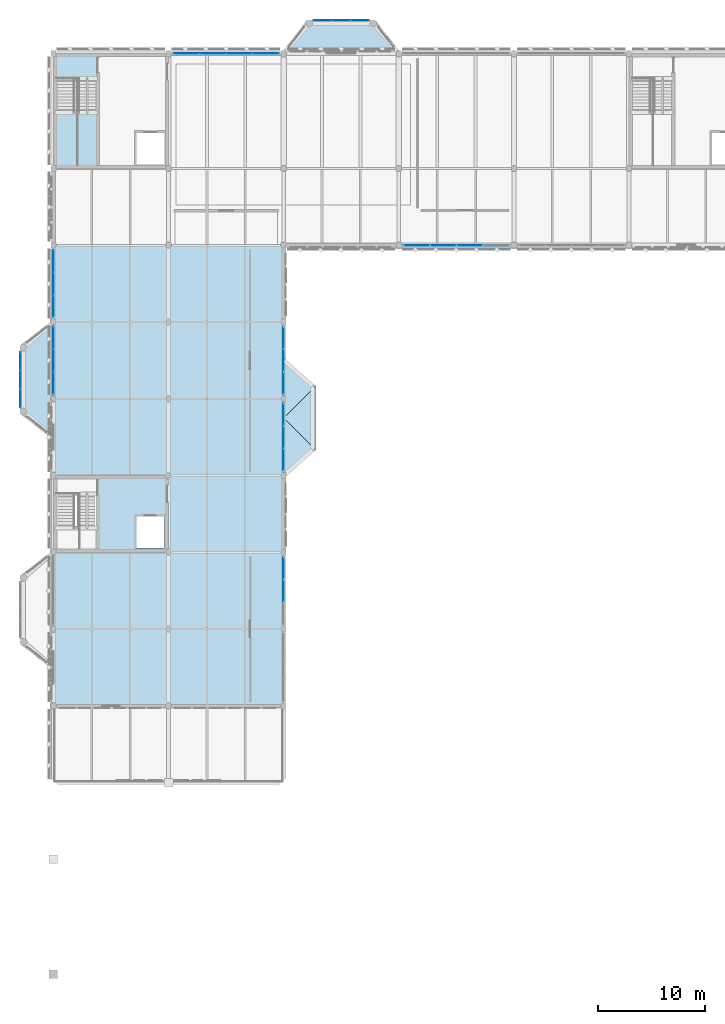
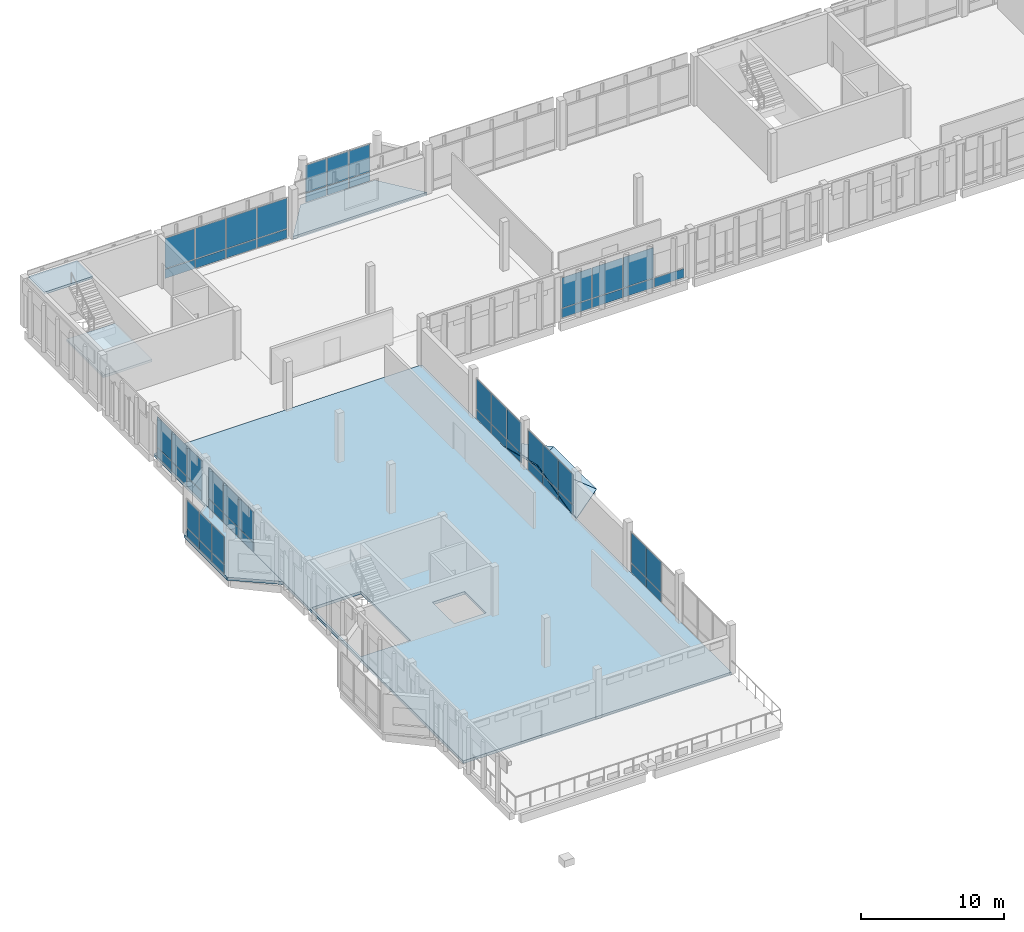
# One storey, part 50 of 72: 55 plates, 8 slabs, 10 elements without a shape of their own.
"""IFC4 building model written with IfcOpenShell, lengths in metres."""

from ifc_helpers import new_model, si_unit, direction, frame, origin, origin_2d, place, context, subcontext, project, spatial, polyline, rectangle, outline, extrude, material, layer, layer_set, type_object, element, aggregate, save


model = new_model("IFC4")

# Units and contexts
model_context = context("Model", 3, precision=1e-05, world=origin(), true_north=direction((0.0, 1.0)))
body_context = subcontext(model_context, "Body", "Model", "MODEL_VIEW")
ifc_project = project(units=[si_unit("LENGTHUNIT", "METRE"), si_unit("AREAUNIT", "SQUARE_METRE"), si_unit("VOLUMEUNIT", "CUBIC_METRE"), si_unit("PLANEANGLEUNIT", "RADIAN"), si_unit("MASSUNIT", "GRAM", prefix="KILO")], contexts=[model_context])

# Site, building, storey
site_placement = place(None, origin())
site = spatial("IfcSite", under=ifc_project, at=site_placement, CompositionType="ELEMENT")
building_placement = place(site_placement, origin())
building = spatial("IfcBuilding", under=site, at=building_placement, Name="Lusvemor Sports Hall", CompositionType="ELEMENT")
storey_placement = place(building_placement, frame((0.0, 0.0, 15.0)))
storey = spatial("IfcBuildingStorey", under=building, at=storey_placement, Name="L03", CompositionType="ELEMENT", Elevation=15.0)

# Curtain wall, plates
ifc_material_1 = material(Name="Thermally broken bronze-anodized aluminium", Category="aluminium")
curtain_wall_type_1 = type_object("IfcCurtainWallType", Name="CW_WING_B", PredefinedType="NOTDEFINED", material=ifc_material_1)
curtain_wall_1_placement = place(storey_placement, origin())
curtain_wall_1 = element("IfcCurtainWall", 1, at=curtain_wall_1_placement, inside=storey, type_object=curtain_wall_type_1, Name="Curtain Wall CW-L03-W-0-4", PredefinedType="NOTDEFINED")
ifc_material_2 = material(Name="Solar-control laminated double glazing", Category="glass")
ifc_layer_1 = layer(ifc_material_2, 0.028076171875)
ifc_layer_set_1 = layer_set([ifc_layer_1], Name="Solar-control laminated double glazing")
plate_type_1 = type_object("IfcPlateType", Name="CW_PAN_GLZ_28", PredefinedType="CURTAIN_PANEL", material=ifc_layer_set_1)
plate_1_placement = place(storey_placement, frame((0.0, 84.296142578125, 0.8798828125), z_axis=(0.0, 0.0, 1.0), x_axis=(0.0, 1.0, 0.0)))
plate_1 = element("IfcPlate", 2, at=plate_1_placement, type_object=plate_type_1, Name="CW02 panel 1.2", PredefinedType="CURTAIN_PANEL", context=body_context, shape_type="SweptSolid", body=[
    extrude(rectangle(XDim=2.0224609375, YDim=0.028076171875, at=origin_2d()), origin(), (0.0, 0.0, 1.0), 2.580078125),
])
plate_2_placement = place(storey_placement, frame((0.0, 86.39990234375, 0.8798828125), z_axis=(0.0, 0.0, 1.0), x_axis=(0.0, 1.0, 0.0)))
plate_2 = element("IfcPlate", 3, at=plate_2_placement, type_object=plate_type_1, Name="CW02 panel 2.2", PredefinedType="CURTAIN_PANEL", context=body_context, shape_type="SweptSolid", body=[
    extrude(rectangle(XDim=2.054931640625, YDim=0.028076171875, at=origin_2d()), origin(), (0.0, 0.0, 1.0), 2.580078125),
])
plate_3_placement = place(storey_placement, frame((0.0, 88.503662109375, 0.8798828125), z_axis=(0.0, 0.0, 1.0), x_axis=(0.0, 1.0, 0.0)))
plate_3 = element("IfcPlate", 4, at=plate_3_placement, type_object=plate_type_1, Name="CW02 panel 3.2", PredefinedType="CURTAIN_PANEL", context=body_context, shape_type="SweptSolid", body=[
    extrude(rectangle(XDim=2.0224609375, YDim=0.028076171875, at=origin_2d()), origin(), (0.0, 0.0, 1.0), 2.580078125),
])

curtain_wall_2_placement = place(storey_placement, origin())
curtain_wall_2 = element("IfcCurtainWall", 5, at=curtain_wall_2_placement, inside=storey, type_object=curtain_wall_type_1, Name="Curtain Wall CW-L03-W-0-5", PredefinedType="NOTDEFINED")
plate_4_placement = place(storey_placement, frame((0.0, 91.496337890625, 0.8798828125), z_axis=(0.0, 0.0, 1.0), x_axis=(0.0, 1.0, 0.0)))
plate_4 = element("IfcPlate", 6, at=plate_4_placement, type_object=plate_type_1, Name="CW02 panel 1.2", PredefinedType="CURTAIN_PANEL", context=body_context, shape_type="SweptSolid", body=[
    extrude(rectangle(XDim=2.0224609375, YDim=0.028076171875, at=origin_2d()), origin(), (0.0, 0.0, 1.0), 2.580078125),
])
plate_5_placement = place(storey_placement, frame((0.0, 93.60009765625, 0.8798828125), z_axis=(0.0, 0.0, 1.0), x_axis=(0.0, 1.0, 0.0)))
plate_5 = element("IfcPlate", 7, at=plate_5_placement, type_object=plate_type_1, Name="CW02 panel 2.2", PredefinedType="CURTAIN_PANEL", context=body_context, shape_type="SweptSolid", body=[
    extrude(rectangle(XDim=2.054931640625, YDim=0.028076171875, at=origin_2d()), origin(), (0.0, 0.0, 1.0), 2.580078125),
])
plate_6_placement = place(storey_placement, frame((0.0, 95.703857421875, 0.8798828125), z_axis=(0.0, 0.0, 1.0), x_axis=(0.0, 1.0, 0.0)))
plate_6 = element("IfcPlate", 8, at=plate_6_placement, type_object=plate_type_1, Name="CW02 panel 3.2", PredefinedType="CURTAIN_PANEL", context=body_context, shape_type="SweptSolid", body=[
    extrude(rectangle(XDim=2.0224609375, YDim=0.028076171875, at=origin_2d()), origin(), (0.0, 0.0, 1.0), 2.580078125),
])

curtain_wall_3_placement = place(storey_placement, origin())
curtain_wall_3 = element("IfcCurtainWall", 9, at=curtain_wall_3_placement, inside=storey, type_object=curtain_wall_type_1, Name="Curtain Wall CW-L03-N-1-1", PredefinedType="NOTDEFINED")
plate_7_placement = place(storey_placement, frame((12.481201171875, 115.199951171875, 0.8798828125), z_axis=(0.0, 0.0, 1.0), x_axis=(1.0, 0.0, 0.0)))
plate_7 = element("IfcPlate", 10, at=plate_7_placement, type_object=plate_type_1, Name="CW02 panel 1.2", PredefinedType="CURTAIN_PANEL", context=body_context, shape_type="SweptSolid", body=[
    extrude(rectangle(XDim=2.392578125, YDim=0.028076171875, at=origin_2d()), origin(), (0.0, 0.0, 1.0), 2.580078125),
])
plate_8_placement = place(storey_placement, frame((14.955078125, 115.199951171875, 0.8798828125), z_axis=(0.0, 0.0, 1.0), x_axis=(1.0, 0.0, 0.0)))
plate_8 = element("IfcPlate", 11, at=plate_8_placement, type_object=plate_type_1, Name="CW02 panel 2.2", PredefinedType="CURTAIN_PANEL", context=body_context, shape_type="SweptSolid", body=[
    extrude(rectangle(XDim=2.425048828125, YDim=0.028076171875, at=origin_2d()), origin(), (0.0, 0.0, 1.0), 2.580078125),
])
plate_9_placement = place(storey_placement, frame((17.445068359375, 115.199951171875, 0.8798828125), z_axis=(0.0, 0.0, 1.0), x_axis=(1.0, 0.0, 0.0)))
plate_9 = element("IfcPlate", 12, at=plate_9_placement, type_object=plate_type_1, Name="CW02 panel 3.2", PredefinedType="CURTAIN_PANEL", context=body_context, shape_type="SweptSolid", body=[
    extrude(rectangle(XDim=2.425048828125, YDim=0.028076171875, at=origin_2d()), origin(), (0.0, 0.0, 1.0), 2.580078125),
])
plate_10_placement = place(storey_placement, frame((19.918701171875, 115.199951171875, 0.8798828125), z_axis=(0.0, 0.0, 1.0), x_axis=(1.0, 0.0, 0.0)))
plate_10 = element("IfcPlate", 13, at=plate_10_placement, type_object=plate_type_1, Name="CW02 panel 4.2", PredefinedType="CURTAIN_PANEL", context=body_context, shape_type="SweptSolid", body=[
    extrude(rectangle(XDim=2.392578125, YDim=0.028076171875, at=origin_2d()), origin(), (0.0, 0.0, 1.0), 2.580078125),
])

curtain_wall_4_placement = place(storey_placement, origin())
curtain_wall_4 = element("IfcCurtainWall", 14, at=curtain_wall_4_placement, inside=storey, type_object=curtain_wall_type_1, Name="Curtain Wall CW-L03-S-3-1", PredefinedType="NOTDEFINED")
plate_11_placement = place(storey_placement, frame((39.044921875, 97.199951171875, 0.8798828125), z_axis=(0.0, 0.0, 1.0), x_axis=(-1.0, 0.0, 0.0)))
plate_11 = element("IfcPlate", 15, at=plate_11_placement, type_object=plate_type_1, Name="CW02 panel 2.2", PredefinedType="CURTAIN_PANEL", context=body_context, shape_type="SweptSolid", body=[
    extrude(rectangle(XDim=2.425048828125, YDim=0.028076171875, at=origin_2d()), origin(), (0.0, 0.0, 1.0), 2.580078125),
])
plate_12_placement = place(storey_placement, frame((36.554931640625, 97.199951171875, 0.8798828125), z_axis=(0.0, 0.0, 1.0), x_axis=(-1.0, 0.0, 0.0)))
plate_12 = element("IfcPlate", 16, at=plate_12_placement, type_object=plate_type_1, Name="CW02 panel 3.2", PredefinedType="CURTAIN_PANEL", context=body_context, shape_type="SweptSolid", body=[
    extrude(rectangle(XDim=2.425048828125, YDim=0.028076171875, at=origin_2d()), origin(), (0.0, 0.0, 1.0), 2.580078125),
])
plate_13_placement = place(storey_placement, frame((34.081298828125, 97.199951171875, 0.8798828125), z_axis=(0.0, 0.0, 1.0), x_axis=(-1.0, 0.0, 0.0)))
plate_13 = element("IfcPlate", 17, at=plate_13_placement, type_object=plate_type_1, Name="CW02 panel 4.2", PredefinedType="CURTAIN_PANEL", context=body_context, shape_type="SweptSolid", body=[
    extrude(rectangle(XDim=2.392578125, YDim=0.028076171875, at=origin_2d()), origin(), (0.0, 0.0, 1.0), 2.580078125),
])

curtain_wall_5_placement = place(storey_placement, origin())
curtain_wall_5 = element("IfcCurtainWall", 18, at=curtain_wall_5_placement, inside=storey, type_object=curtain_wall_type_1, Name="Curtain Wall CW-L03-E-4-1", PredefinedType="NOTDEFINED")
plate_14_placement = place(storey_placement, frame((21.60009765625, 66.90380859375, 0.8798828125), z_axis=(0.0, 0.0, 1.0), x_axis=(0.0, -1.0, 0.0)))
plate_14 = element("IfcPlate", 19, at=plate_14_placement, type_object=plate_type_1, Name="CW02 panel 1.2", PredefinedType="CURTAIN_PANEL", context=body_context, shape_type="SweptSolid", body=[
    extrude(rectangle(XDim=2.0224609375, YDim=0.028076171875, at=origin_2d()), origin(), (0.0, 0.0, 1.0), 2.580078125),
])
plate_15_placement = place(storey_placement, frame((21.60009765625, 64.800048828125, 0.8798828125), z_axis=(0.0, 0.0, 1.0), x_axis=(0.0, -1.0, 0.0)))
plate_15 = element("IfcPlate", 20, at=plate_15_placement, type_object=plate_type_1, Name="CW02 panel 2.2", PredefinedType="CURTAIN_PANEL", context=body_context, shape_type="SweptSolid", body=[
    extrude(rectangle(XDim=2.054931640625, YDim=0.028076171875, at=origin_2d()), origin(), (0.0, 0.0, 1.0), 2.580078125),
])

curtain_wall_6_placement = place(storey_placement, origin())
curtain_wall_6 = element("IfcCurtainWall", 21, at=curtain_wall_6_placement, inside=storey, type_object=curtain_wall_type_1, Name="Curtain Wall CW-L03-E-4-3", PredefinedType="NOTDEFINED")
plate_16_placement = place(storey_placement, frame((21.60009765625, 81.3037109375, 0.8798828125), z_axis=(0.0, 0.0, 1.0), x_axis=(0.0, -1.0, 0.0)))
plate_16 = element("IfcPlate", 22, at=plate_16_placement, type_object=plate_type_1, Name="CW02 panel 1.2", PredefinedType="CURTAIN_PANEL", context=body_context, shape_type="SweptSolid", body=[
    extrude(rectangle(XDim=2.0224609375, YDim=0.028076171875, at=origin_2d()), origin(), (0.0, 0.0, 1.0), 2.580078125),
])
plate_17_placement = place(storey_placement, frame((21.60009765625, 79.199951171875, 0.8798828125), z_axis=(0.0, 0.0, 1.0), x_axis=(0.0, -1.0, 0.0)))
plate_17 = element("IfcPlate", 23, at=plate_17_placement, type_object=plate_type_1, Name="CW02 panel 2.2", PredefinedType="CURTAIN_PANEL", context=body_context, shape_type="SweptSolid", body=[
    extrude(rectangle(XDim=2.054931640625, YDim=0.028076171875, at=origin_2d()), origin(), (0.0, 0.0, 1.0), 2.580078125),
])
plate_18_placement = place(storey_placement, frame((21.60009765625, 77.09619140625, 0.8798828125), z_axis=(0.0, 0.0, 1.0), x_axis=(0.0, -1.0, 0.0)))
plate_18 = element("IfcPlate", 24, at=plate_18_placement, type_object=plate_type_1, Name="CW02 panel 3.2", PredefinedType="CURTAIN_PANEL", context=body_context, shape_type="SweptSolid", body=[
    extrude(rectangle(XDim=2.0224609375, YDim=0.028076171875, at=origin_2d()), origin(), (0.0, 0.0, 1.0), 2.580078125),
])

curtain_wall_7_placement = place(storey_placement, origin())
curtain_wall_7 = element("IfcCurtainWall", 25, at=curtain_wall_7_placement, inside=storey, type_object=curtain_wall_type_1, Name="Curtain Wall CW-L03-E-4-4", PredefinedType="NOTDEFINED")
plate_19_placement = place(storey_placement, frame((21.60009765625, 88.503662109375, 0.8798828125), z_axis=(0.0, 0.0, 1.0), x_axis=(0.0, -1.0, 0.0)))
plate_19 = element("IfcPlate", 26, at=plate_19_placement, type_object=plate_type_1, Name="CW02 panel 1.2", PredefinedType="CURTAIN_PANEL", context=body_context, shape_type="SweptSolid", body=[
    extrude(rectangle(XDim=2.0224609375, YDim=0.028076171875, at=origin_2d()), origin(), (0.0, 0.0, 1.0), 2.580078125),
])
plate_20_placement = place(storey_placement, frame((21.60009765625, 86.39990234375, 0.8798828125), z_axis=(0.0, 0.0, 1.0), x_axis=(0.0, -1.0, 0.0)))
plate_20 = element("IfcPlate", 27, at=plate_20_placement, type_object=plate_type_1, Name="CW02 panel 2.2", PredefinedType="CURTAIN_PANEL", context=body_context, shape_type="SweptSolid", body=[
    extrude(rectangle(XDim=2.054931640625, YDim=0.028076171875, at=origin_2d()), origin(), (0.0, 0.0, 1.0), 2.580078125),
])
plate_21_placement = place(storey_placement, frame((21.60009765625, 84.296142578125, 0.8798828125), z_axis=(0.0, 0.0, 1.0), x_axis=(0.0, -1.0, 0.0)))
plate_21 = element("IfcPlate", 28, at=plate_21_placement, type_object=plate_type_1, Name="CW02 panel 3.2", PredefinedType="CURTAIN_PANEL", context=body_context, shape_type="SweptSolid", body=[
    extrude(rectangle(XDim=2.0224609375, YDim=0.028076171875, at=origin_2d()), origin(), (0.0, 0.0, 1.0), 2.580078125),
])

ifc_material_3 = material(Name="Thermally broken bronze-anodized aluminium", Category="aluminium")
curtain_wall_type_2 = type_object("IfcCurtainWallType", Name="CW_FOYER_A", PredefinedType="NOTDEFINED", material=ifc_material_3)
curtain_wall_8_placement = place(storey_placement, origin())
curtain_wall_8 = element("IfcCurtainWall", 29, at=curtain_wall_8_placement, inside=storey, type_object=curtain_wall_type_2, Name="Curtain Wall CW-BOW-W2-L03-M", PredefinedType="NOTDEFINED")
plate_22_placement = place(storey_placement, frame((-3.10009765625, 82.850830078125, 0.882568359375), z_axis=(0.0, 0.0, 1.0), x_axis=(0.0, 1.0, 0.0)))
plate_22 = element("IfcPlate", 30, at=plate_22_placement, type_object=plate_type_1, Name="CW01 panel 1.2", PredefinedType="CURTAIN_PANEL", context=body_context, shape_type="SweptSolid", body=[
    extrude(rectangle(XDim=1.66162109375, YDim=0.028076171875, at=origin_2d()), origin(), (0.0, 0.0, 1.0), 2.33251953125),
])
plate_23_placement = place(storey_placement, frame((-3.10009765625, 84.60009765625, 0.882568359375), z_axis=(0.0, 0.0, 1.0), x_axis=(0.0, 1.0, 0.0)))
plate_23 = element("IfcPlate", 31, at=plate_23_placement, type_object=plate_type_1, Name="CW01 panel 2.2", PredefinedType="CURTAIN_PANEL", context=body_context, shape_type="SweptSolid", body=[
    extrude(rectangle(XDim=1.69677734375, YDim=0.028076171875, at=origin_2d()), origin(), (0.0, 0.0, 1.0), 2.33251953125),
])
plate_24_placement = place(storey_placement, frame((-3.10009765625, 86.34912109375, 0.882568359375), z_axis=(0.0, 0.0, 1.0), x_axis=(0.0, 1.0, 0.0)))
plate_24 = element("IfcPlate", 32, at=plate_24_placement, type_object=plate_type_1, Name="CW01 panel 3.2", PredefinedType="CURTAIN_PANEL", context=body_context, shape_type="SweptSolid", body=[
    extrude(rectangle(XDim=1.66162109375, YDim=0.028076171875, at=origin_2d()), origin(), (0.0, 0.0, 1.0), 2.33251953125),
])

curtain_wall_9_placement = place(storey_placement, origin())
curtain_wall_9 = element("IfcCurtainWall", 33, at=curtain_wall_9_placement, inside=storey, type_object=curtain_wall_type_2, Name="Curtain Wall CW-BOW-N1-L03-M", PredefinedType="NOTDEFINED")
plate_25_placement = place(storey_placement, frame((25.250732421875, 118.300048828125, 0.882568359375), z_axis=(0.0, 0.0, 1.0), x_axis=(1.0, 0.0, 0.0)))
plate_25 = element("IfcPlate", 34, at=plate_25_placement, type_object=plate_type_1, Name="CW01 panel 1.2", PredefinedType="CURTAIN_PANEL", context=body_context, shape_type="SweptSolid", body=[
    extrude(rectangle(XDim=1.66162109375, YDim=0.028076171875, at=origin_2d()), origin(), (0.0, 0.0, 1.0), 2.33251953125),
])
plate_26_placement = place(storey_placement, frame((27.0, 118.300048828125, 0.882568359375), z_axis=(0.0, 0.0, 1.0), x_axis=(1.0, 0.0, 0.0)))
plate_26 = element("IfcPlate", 35, at=plate_26_placement, type_object=plate_type_1, Name="CW01 panel 2.2", PredefinedType="CURTAIN_PANEL", context=body_context, shape_type="SweptSolid", body=[
    extrude(rectangle(XDim=1.69677734375, YDim=0.028076171875, at=origin_2d()), origin(), (0.0, 0.0, 1.0), 2.33251953125),
])
plate_27_placement = place(storey_placement, frame((28.749267578125, 118.300048828125, 0.882568359375), z_axis=(0.0, 0.0, 1.0), x_axis=(1.0, 0.0, 0.0)))
plate_27 = element("IfcPlate", 36, at=plate_27_placement, type_object=plate_type_1, Name="CW01 panel 3.2", PredefinedType="CURTAIN_PANEL", context=body_context, shape_type="SweptSolid", body=[
    extrude(rectangle(XDim=1.66162109375, YDim=0.028076171875, at=origin_2d()), origin(), (0.0, 0.0, 1.0), 2.33251953125),
])

# Plate
ifc_material_4 = material(Name="Emerald polychrome glazed ceramic cladding on Concrete C40/50 backing", Category="concrete")
ifc_layer_2 = layer(ifc_material_4, 0.048095703125)
ifc_layer_set_2 = layer_set([ifc_layer_2], Name="Emerald polychrome glazed ceramic cladding on Concrete C40/50 backing")
plate_type_2 = type_object("IfcPlateType", Name="CW_PAN_SPN_48", PredefinedType="CURTAIN_PANEL", material=ifc_layer_set_2)
plate_28_placement = place(storey_placement, frame((0.0, 84.296142578125, 0.06005859375), z_axis=(0.0, 0.0, 1.0), x_axis=(0.0, 1.0, 0.0)))
plate_28 = element("IfcPlate", 37, at=plate_28_placement, type_object=plate_type_2, Name="CW02 panel 1.1", PredefinedType="CURTAIN_PANEL", context=body_context, shape_type="SweptSolid", body=[
    extrude(rectangle(XDim=2.0224609375, YDim=0.048095703125, at=origin_2d()), origin(), (0.0, 0.0, 1.0), 0.760009765625),
])

plate_29_placement = place(storey_placement, frame((0.0, 86.39990234375, 0.06005859375), z_axis=(0.0, 0.0, 1.0), x_axis=(0.0, 1.0, 0.0)))
plate_29 = element("IfcPlate", 38, at=plate_29_placement, type_object=plate_type_2, Name="CW02 panel 2.1", PredefinedType="CURTAIN_PANEL", context=body_context, shape_type="SweptSolid", body=[
    extrude(rectangle(XDim=2.054931640625, YDim=0.048095703125, at=origin_2d()), origin(), (0.0, 0.0, 1.0), 0.760009765625),
])

plate_30_placement = place(storey_placement, frame((0.0, 88.503662109375, 0.06005859375), z_axis=(0.0, 0.0, 1.0), x_axis=(0.0, 1.0, 0.0)))
plate_30 = element("IfcPlate", 39, at=plate_30_placement, type_object=plate_type_2, Name="CW02 panel 3.1", PredefinedType="CURTAIN_PANEL", context=body_context, shape_type="SweptSolid", body=[
    extrude(rectangle(XDim=2.0224609375, YDim=0.048095703125, at=origin_2d()), origin(), (0.0, 0.0, 1.0), 0.760009765625),
])

aggregate(curtain_wall_1, [plate_28, plate_1, plate_29, plate_2, plate_30, plate_3])

plate_31_placement = place(storey_placement, frame((0.0, 91.496337890625, 0.06005859375), z_axis=(0.0, 0.0, 1.0), x_axis=(0.0, 1.0, 0.0)))
plate_31 = element("IfcPlate", 40, at=plate_31_placement, type_object=plate_type_2, Name="CW02 panel 1.1", PredefinedType="CURTAIN_PANEL", context=body_context, shape_type="SweptSolid", body=[
    extrude(rectangle(XDim=2.0224609375, YDim=0.048095703125, at=origin_2d()), origin(), (0.0, 0.0, 1.0), 0.760009765625),
])

plate_32_placement = place(storey_placement, frame((0.0, 93.60009765625, 0.06005859375), z_axis=(0.0, 0.0, 1.0), x_axis=(0.0, 1.0, 0.0)))
plate_32 = element("IfcPlate", 41, at=plate_32_placement, type_object=plate_type_2, Name="CW02 panel 2.1", PredefinedType="CURTAIN_PANEL", context=body_context, shape_type="SweptSolid", body=[
    extrude(rectangle(XDim=2.054931640625, YDim=0.048095703125, at=origin_2d()), origin(), (0.0, 0.0, 1.0), 0.760009765625),
])

plate_33_placement = place(storey_placement, frame((0.0, 95.703857421875, 0.06005859375), z_axis=(0.0, 0.0, 1.0), x_axis=(0.0, 1.0, 0.0)))
plate_33 = element("IfcPlate", 42, at=plate_33_placement, type_object=plate_type_2, Name="CW02 panel 3.1", PredefinedType="CURTAIN_PANEL", context=body_context, shape_type="SweptSolid", body=[
    extrude(rectangle(XDim=2.0224609375, YDim=0.048095703125, at=origin_2d()), origin(), (0.0, 0.0, 1.0), 0.760009765625),
])

aggregate(curtain_wall_2, [plate_31, plate_4, plate_32, plate_5, plate_33, plate_6])

plate_34_placement = place(storey_placement, frame((12.481201171875, 115.199951171875, 0.06005859375), z_axis=(0.0, 0.0, 1.0), x_axis=(1.0, 0.0, 0.0)))
plate_34 = element("IfcPlate", 43, at=plate_34_placement, type_object=plate_type_2, Name="CW02 panel 1.1", PredefinedType="CURTAIN_PANEL", context=body_context, shape_type="SweptSolid", body=[
    extrude(rectangle(XDim=2.392578125, YDim=0.048095703125, at=origin_2d()), origin(), (0.0, 0.0, 1.0), 0.760009765625),
])

plate_35_placement = place(storey_placement, frame((14.955078125, 115.199951171875, 0.06005859375), z_axis=(0.0, 0.0, 1.0), x_axis=(1.0, 0.0, 0.0)))
plate_35 = element("IfcPlate", 44, at=plate_35_placement, type_object=plate_type_2, Name="CW02 panel 2.1", PredefinedType="CURTAIN_PANEL", context=body_context, shape_type="SweptSolid", body=[
    extrude(rectangle(XDim=2.425048828125, YDim=0.048095703125, at=origin_2d()), origin(), (0.0, 0.0, 1.0), 0.760009765625),
])

plate_36_placement = place(storey_placement, frame((17.445068359375, 115.199951171875, 0.06005859375), z_axis=(0.0, 0.0, 1.0), x_axis=(1.0, 0.0, 0.0)))
plate_36 = element("IfcPlate", 45, at=plate_36_placement, type_object=plate_type_2, Name="CW02 panel 3.1", PredefinedType="CURTAIN_PANEL", context=body_context, shape_type="SweptSolid", body=[
    extrude(rectangle(XDim=2.425048828125, YDim=0.048095703125, at=origin_2d()), origin(), (0.0, 0.0, 1.0), 0.760009765625),
])

plate_37_placement = place(storey_placement, frame((19.918701171875, 115.199951171875, 0.06005859375), z_axis=(0.0, 0.0, 1.0), x_axis=(1.0, 0.0, 0.0)))
plate_37 = element("IfcPlate", 46, at=plate_37_placement, type_object=plate_type_2, Name="CW02 panel 4.1", PredefinedType="CURTAIN_PANEL", context=body_context, shape_type="SweptSolid", body=[
    extrude(rectangle(XDim=2.392578125, YDim=0.048095703125, at=origin_2d()), origin(), (0.0, 0.0, 1.0), 0.760009765625),
])

aggregate(curtain_wall_3, [plate_34, plate_7, plate_35, plate_8, plate_36, plate_9, plate_37, plate_10])

plate_38_placement = place(storey_placement, frame((41.518798828125, 97.199951171875, 0.06005859375), z_axis=(0.0, 0.0, 1.0), x_axis=(-1.0, 0.0, 0.0)))
plate_38 = element("IfcPlate", 47, at=plate_38_placement, type_object=plate_type_2, Name="CW02 panel 1.1", PredefinedType="CURTAIN_PANEL", context=body_context, shape_type="SweptSolid", body=[
    extrude(rectangle(XDim=2.392578125, YDim=0.048095703125, at=origin_2d()), origin(), (0.0, 0.0, 1.0), 0.760009765625),
])

plate_39_placement = place(storey_placement, frame((39.044921875, 97.199951171875, 0.06005859375), z_axis=(0.0, 0.0, 1.0), x_axis=(-1.0, 0.0, 0.0)))
plate_39 = element("IfcPlate", 48, at=plate_39_placement, type_object=plate_type_2, Name="CW02 panel 2.1", PredefinedType="CURTAIN_PANEL", context=body_context, shape_type="SweptSolid", body=[
    extrude(rectangle(XDim=2.425048828125, YDim=0.048095703125, at=origin_2d()), origin(), (0.0, 0.0, 1.0), 0.760009765625),
])

plate_40_placement = place(storey_placement, frame((36.554931640625, 97.199951171875, 0.06005859375), z_axis=(0.0, 0.0, 1.0), x_axis=(-1.0, 0.0, 0.0)))
plate_40 = element("IfcPlate", 49, at=plate_40_placement, type_object=plate_type_2, Name="CW02 panel 3.1", PredefinedType="CURTAIN_PANEL", context=body_context, shape_type="SweptSolid", body=[
    extrude(rectangle(XDim=2.425048828125, YDim=0.048095703125, at=origin_2d()), origin(), (0.0, 0.0, 1.0), 0.760009765625),
])

plate_41_placement = place(storey_placement, frame((34.081298828125, 97.199951171875, 0.06005859375), z_axis=(0.0, 0.0, 1.0), x_axis=(-1.0, 0.0, 0.0)))
plate_41 = element("IfcPlate", 50, at=plate_41_placement, type_object=plate_type_2, Name="CW02 panel 4.1", PredefinedType="CURTAIN_PANEL", context=body_context, shape_type="SweptSolid", body=[
    extrude(rectangle(XDim=2.392578125, YDim=0.048095703125, at=origin_2d()), origin(), (0.0, 0.0, 1.0), 0.760009765625),
])

aggregate(curtain_wall_4, [plate_38, plate_39, plate_11, plate_40, plate_12, plate_41, plate_13])

plate_42_placement = place(storey_placement, frame((21.60009765625, 66.90380859375, 0.06005859375), z_axis=(0.0, 0.0, 1.0), x_axis=(0.0, -1.0, 0.0)))
plate_42 = element("IfcPlate", 51, at=plate_42_placement, type_object=plate_type_2, Name="CW02 panel 1.1", PredefinedType="CURTAIN_PANEL", context=body_context, shape_type="SweptSolid", body=[
    extrude(rectangle(XDim=2.0224609375, YDim=0.048095703125, at=origin_2d()), origin(), (0.0, 0.0, 1.0), 0.760009765625),
])

plate_43_placement = place(storey_placement, frame((21.60009765625, 64.800048828125, 0.06005859375), z_axis=(0.0, 0.0, 1.0), x_axis=(0.0, -1.0, 0.0)))
plate_43 = element("IfcPlate", 52, at=plate_43_placement, type_object=plate_type_2, Name="CW02 panel 2.1", PredefinedType="CURTAIN_PANEL", context=body_context, shape_type="SweptSolid", body=[
    extrude(rectangle(XDim=2.054931640625, YDim=0.048095703125, at=origin_2d()), origin(), (0.0, 0.0, 1.0), 0.760009765625),
])

aggregate(curtain_wall_5, [plate_42, plate_14, plate_43, plate_15])

plate_44_placement = place(storey_placement, frame((21.60009765625, 81.3037109375, 0.06005859375), z_axis=(0.0, 0.0, 1.0), x_axis=(0.0, -1.0, 0.0)))
plate_44 = element("IfcPlate", 53, at=plate_44_placement, type_object=plate_type_2, Name="CW02 panel 1.1", PredefinedType="CURTAIN_PANEL", context=body_context, shape_type="SweptSolid", body=[
    extrude(rectangle(XDim=2.0224609375, YDim=0.048095703125, at=origin_2d()), origin(), (0.0, 0.0, 1.0), 0.760009765625),
])

plate_45_placement = place(storey_placement, frame((21.60009765625, 79.199951171875, 0.06005859375), z_axis=(0.0, 0.0, 1.0), x_axis=(0.0, -1.0, 0.0)))
plate_45 = element("IfcPlate", 54, at=plate_45_placement, type_object=plate_type_2, Name="CW02 panel 2.1", PredefinedType="CURTAIN_PANEL", context=body_context, shape_type="SweptSolid", body=[
    extrude(rectangle(XDim=2.054931640625, YDim=0.048095703125, at=origin_2d()), origin(), (0.0, 0.0, 1.0), 0.760009765625),
])

plate_46_placement = place(storey_placement, frame((21.60009765625, 77.09619140625, 0.06005859375), z_axis=(0.0, 0.0, 1.0), x_axis=(0.0, -1.0, 0.0)))
plate_46 = element("IfcPlate", 55, at=plate_46_placement, type_object=plate_type_2, Name="CW02 panel 3.1", PredefinedType="CURTAIN_PANEL", context=body_context, shape_type="SweptSolid", body=[
    extrude(rectangle(XDim=2.0224609375, YDim=0.048095703125, at=origin_2d()), origin(), (0.0, 0.0, 1.0), 0.760009765625),
])

aggregate(curtain_wall_6, [plate_44, plate_16, plate_45, plate_17, plate_46, plate_18])

plate_47_placement = place(storey_placement, frame((21.60009765625, 88.503662109375, 0.06005859375), z_axis=(0.0, 0.0, 1.0), x_axis=(0.0, -1.0, 0.0)))
plate_47 = element("IfcPlate", 56, at=plate_47_placement, type_object=plate_type_2, Name="CW02 panel 1.1", PredefinedType="CURTAIN_PANEL", context=body_context, shape_type="SweptSolid", body=[
    extrude(rectangle(XDim=2.0224609375, YDim=0.048095703125, at=origin_2d()), origin(), (0.0, 0.0, 1.0), 0.760009765625),
])

plate_48_placement = place(storey_placement, frame((21.60009765625, 86.39990234375, 0.06005859375), z_axis=(0.0, 0.0, 1.0), x_axis=(0.0, -1.0, 0.0)))
plate_48 = element("IfcPlate", 57, at=plate_48_placement, type_object=plate_type_2, Name="CW02 panel 2.1", PredefinedType="CURTAIN_PANEL", context=body_context, shape_type="SweptSolid", body=[
    extrude(rectangle(XDim=2.054931640625, YDim=0.048095703125, at=origin_2d()), origin(), (0.0, 0.0, 1.0), 0.760009765625),
])

plate_49_placement = place(storey_placement, frame((21.60009765625, 84.296142578125, 0.06005859375), z_axis=(0.0, 0.0, 1.0), x_axis=(0.0, -1.0, 0.0)))
plate_49 = element("IfcPlate", 58, at=plate_49_placement, type_object=plate_type_2, Name="CW02 panel 3.1", PredefinedType="CURTAIN_PANEL", context=body_context, shape_type="SweptSolid", body=[
    extrude(rectangle(XDim=2.0224609375, YDim=0.048095703125, at=origin_2d()), origin(), (0.0, 0.0, 1.0), 0.760009765625),
])

aggregate(curtain_wall_7, [plate_47, plate_19, plate_48, plate_20, plate_49, plate_21])

plate_50_placement = place(storey_placement, frame((-3.10009765625, 82.850830078125, 0.06494140625), z_axis=(0.0, 0.0, 1.0), x_axis=(0.0, 1.0, 0.0)))
plate_50 = element("IfcPlate", 59, at=plate_50_placement, type_object=plate_type_2, Name="CW01 panel 1.1", PredefinedType="CURTAIN_PANEL", context=body_context, shape_type="SweptSolid", body=[
    extrude(rectangle(XDim=1.66162109375, YDim=0.048095703125, at=origin_2d()), origin(), (0.0, 0.0, 1.0), 0.75244140625),
])

plate_51_placement = place(storey_placement, frame((-3.10009765625, 84.60009765625, 0.06494140625), z_axis=(0.0, 0.0, 1.0), x_axis=(0.0, 1.0, 0.0)))
plate_51 = element("IfcPlate", 60, at=plate_51_placement, type_object=plate_type_2, Name="CW01 panel 2.1", PredefinedType="CURTAIN_PANEL", context=body_context, shape_type="SweptSolid", body=[
    extrude(rectangle(XDim=1.69677734375, YDim=0.048095703125, at=origin_2d()), origin(), (0.0, 0.0, 1.0), 0.75244140625),
])

plate_52_placement = place(storey_placement, frame((-3.10009765625, 86.34912109375, 0.06494140625), z_axis=(0.0, 0.0, 1.0), x_axis=(0.0, 1.0, 0.0)))
plate_52 = element("IfcPlate", 61, at=plate_52_placement, type_object=plate_type_2, Name="CW01 panel 3.1", PredefinedType="CURTAIN_PANEL", context=body_context, shape_type="SweptSolid", body=[
    extrude(rectangle(XDim=1.66162109375, YDim=0.048095703125, at=origin_2d()), origin(), (0.0, 0.0, 1.0), 0.75244140625),
])

aggregate(curtain_wall_8, [plate_50, plate_22, plate_51, plate_23, plate_52, plate_24])

plate_53_placement = place(storey_placement, frame((25.250732421875, 118.300048828125, 0.06494140625), z_axis=(0.0, 0.0, 1.0), x_axis=(1.0, 0.0, 0.0)))
plate_53 = element("IfcPlate", 62, at=plate_53_placement, type_object=plate_type_2, Name="CW01 panel 1.1", PredefinedType="CURTAIN_PANEL", context=body_context, shape_type="SweptSolid", body=[
    extrude(rectangle(XDim=1.66162109375, YDim=0.048095703125, at=origin_2d()), origin(), (0.0, 0.0, 1.0), 0.75244140625),
])

plate_54_placement = place(storey_placement, frame((27.0, 118.300048828125, 0.06494140625), z_axis=(0.0, 0.0, 1.0), x_axis=(1.0, 0.0, 0.0)))
plate_54 = element("IfcPlate", 63, at=plate_54_placement, type_object=plate_type_2, Name="CW01 panel 2.1", PredefinedType="CURTAIN_PANEL", context=body_context, shape_type="SweptSolid", body=[
    extrude(rectangle(XDim=1.69677734375, YDim=0.048095703125, at=origin_2d()), origin(), (0.0, 0.0, 1.0), 0.75244140625),
])

plate_55_placement = place(storey_placement, frame((28.749267578125, 118.300048828125, 0.06494140625), z_axis=(0.0, 0.0, 1.0), x_axis=(1.0, 0.0, 0.0)))
plate_55 = element("IfcPlate", 64, at=plate_55_placement, type_object=plate_type_2, Name="CW01 panel 3.1", PredefinedType="CURTAIN_PANEL", context=body_context, shape_type="SweptSolid", body=[
    extrude(rectangle(XDim=1.66162109375, YDim=0.048095703125, at=origin_2d()), origin(), (0.0, 0.0, 1.0), 0.75244140625),
])

aggregate(curtain_wall_9, [plate_53, plate_25, plate_54, plate_26, plate_55, plate_27])

# Slabs
ifc_material_5 = material(Name="Concrete C40/50", Category="concrete")
ifc_layer_3 = layer(ifc_material_5, 0.169921875)
ifc_layer_set_3 = layer_set([ifc_layer_3], Name="Concrete C40/50")
slab_type_1 = type_object("IfcSlabType", Name="ROOF_LANTERN_170", PredefinedType="ROOF", material=ifc_layer_set_3)
slab_1_placement = place(storey_placement, frame((21.60009765625, 86.39990234375, 0.0), z_axis=(0.190484342743, 0.238115117357, 0.952374351847), x_axis=(0.780881208953, -0.624679547852, 0.0)))
element("IfcSlab", 65, at=slab_1_placement, inside=storey, type_object=slab_type_1, Name="Art Nouveau Faceted Pavilion Roof BOW-CT-1", PredefinedType="ROOF", context=body_context, shape_type="SweptSolid", body=[
    extrude(outline(polyline([(0.0, 0.0), (3.841813537840787, 2.220446049250313e-16), (3.3732085545385995, -4.427547069319094), (0.0, 0.0)])), origin(), (0.0, 0.0, -1.0), 0.169921875),
])
slab_2_placement = place(storey_placement, frame((24.60009765625, 84.0, 0.0), z_axis=(0.410389362903, 0.0, 0.911910396265), x_axis=(0.0, -1.0, 0.0)))
element("IfcSlab", 66, at=slab_2_placement, inside=storey, type_object=slab_type_1, Name="Art Nouveau Faceted Pavilion Roof BOW-CT-2", PredefinedType="ROOF", context=body_context, shape_type="SweptSolid", body=[
    extrude(outline(polyline([(0.0, 0.0), (6.0, 0.0), (3.0, -3.289796905800074), (0.0, 0.0)])), origin(), (0.0, 0.0, -1.0), 0.169921875),
])
slab_3_placement = place(storey_placement, frame((24.60009765625, 78.0, 0.0), z_axis=(0.190484342743, -0.238115117357, 0.952374351847), x_axis=(-0.780881208953, -0.624679547852, 0.0)))
element("IfcSlab", 67, at=slab_3_placement, inside=storey, type_object=slab_type_1, Name="Art Nouveau Faceted Pavilion Roof BOW-CT-3", PredefinedType="ROOF", context=body_context, shape_type="SweptSolid", body=[
    extrude(outline(polyline([(0.0, 0.0), (3.841813537840787, -2.220446049250313e-16), (0.46860498330218747, -4.427547069319094), (0.0, 0.0)])), origin(), (0.0, 0.0, -1.0), 0.169921875),
])
ifc_material_6 = material(Name="Concrete C40/50", Category="concrete")
ifc_layer_4 = layer(ifc_material_6, 0.239990234375)
ifc_layer_set_4 = layer_set([ifc_layer_4], Name="Concrete C40/50")
slab_type_2 = type_object("IfcSlabType", Name="SLAB_INT_240", PredefinedType="FLOOR", material=ifc_layer_set_4)
slab_4_placement = place(storey_placement, frame((0.0, 0.0, -0.239990234375)))
element("IfcSlab", 68, at=slab_4_placement, inside=storey, type_object=slab_type_2, Name="Slab L03 V5-WEST", PredefinedType="FLOOR", context=body_context, shape_type="SweptSolid", body=[
    extrude(outline(polyline([(0.0, 54.0), (21.60009765625, 54.0), (21.60009765625, 97.199951171875), (0.0, 97.199951171875), (0.0, 54.0)]), holes=[polyline([(0.159912109375, 68.56005859375), (4.139892578125, 68.56005859375), (4.139892578125, 75.43994140625), (0.159912109375, 75.43994140625), (0.159912109375, 68.56005859375)]), polyline([(7.800048828125, 68.800048828125), (10.39990234375, 68.800048828125), (10.39990234375, 71.800048828125), (7.800048828125, 71.800048828125), (7.800048828125, 68.800048828125)])]), origin(), (0.0, 0.0, 1.0), 0.239990234375),
])
ifc_material_7 = material(Name="Concrete C40/50", Category="concrete")
ifc_layer_5 = layer(ifc_material_7, 0.260009765625)
ifc_layer_set_5 = layer_set([ifc_layer_5], Name="Concrete C40/50")
slab_type_3 = type_object("IfcSlabType", Name="SLAB_INT_260", PredefinedType="FLOOR", material=ifc_layer_set_5)
slab_5_placement = place(storey_placement, frame((0.0, 0.0, -0.260009765625)))
element("IfcSlab", 69, at=slab_5_placement, inside=storey, type_object=slab_type_3, Name="Bow Pavilion Slab BOW-W2 (L03)", PredefinedType="FLOOR", context=body_context, shape_type="SweptSolid", body=[
    extrude(outline(polyline([(0.0, 79.199951171875), (-3.10009765625, 81.60009765625), (-3.10009765625, 87.60009765625), (0.0, 90.0), (0.0, 79.199951171875)])), origin(), (0.0, 0.0, 1.0), 0.260009765625),
])
slab_6_placement = place(storey_placement, frame((0.0, 0.0, -0.260009765625)))
element("IfcSlab", 70, at=slab_6_placement, inside=storey, type_object=slab_type_3, Name="Bow Pavilion Slab BOW-N1 (L03)", PredefinedType="FLOOR", context=body_context, shape_type="SweptSolid", body=[
    extrude(outline(polyline([(21.60009765625, 115.199951171875), (24.0, 118.300048828125), (30.0, 118.300048828125), (32.39990234375, 115.199951171875), (21.60009765625, 115.199951171875)])), origin(), (0.0, 0.0, 1.0), 0.260009765625),
])

# Stair, slabs
ifc_material_8 = material(Name="Concrete C40/50", Category="concrete")
stair_type = type_object("IfcStairType", Name="STAIR_CORE_420", PredefinedType="HALF_TURN_STAIR", material=ifc_material_8)
stair_placement = place(storey_placement, origin())
stair = element("IfcStair", 71, at=stair_placement, inside=storey, type_object=stair_type, Name="Escape Stair C1 (L03)", PredefinedType="HALF_TURN_STAIR")
ifc_material_9 = material(Name="Concrete C40/50", Category="concrete")
ifc_layer_6 = layer(ifc_material_9, 0.199951171875)
ifc_layer_set_6 = layer_set([ifc_layer_6], Name="Concrete C40/50")
slab_type_4 = type_object("IfcSlabType", Name="SLAB_LAND_200", PredefinedType="LANDING", material=ifc_layer_set_6)
slab_7_placement = place(storey_placement, frame((0.0, 0.0, 1.89990234375)))
slab_7 = element("IfcSlab", 72, at=slab_7_placement, type_object=slab_type_4, Name="ST02 landing 1", PredefinedType="LANDING", context=body_context, shape_type="SweptSolid", body=[
    extrude(outline(polyline([(0.179931640625, 104.580078125), (4.1201171875, 104.580078125), (4.1201171875, 109.699951171875), (0.179931640625, 109.699951171875), (0.179931640625, 104.580078125)])), origin(), (0.0, 0.0, 1.0), 0.2001953125),
])
slab_8_placement = place(storey_placement, frame((0.0, 0.0, 4.0)))
slab_8 = element("IfcSlab", 73, at=slab_8_placement, type_object=slab_type_4, Name="ST02 landing 2", PredefinedType="LANDING", context=body_context, shape_type="SweptSolid", body=[
    extrude(outline(polyline([(0.179931640625, 112.81005859375), (4.1201171875, 112.81005859375), (4.1201171875, 115.02001953125), (0.179931640625, 115.02001953125), (0.179931640625, 112.81005859375)])), origin(), (0.0, 0.0, 1.0), 0.199951171875),
])
aggregate(stair, [slab_7, slab_8])

save(model, "model.ifc")
